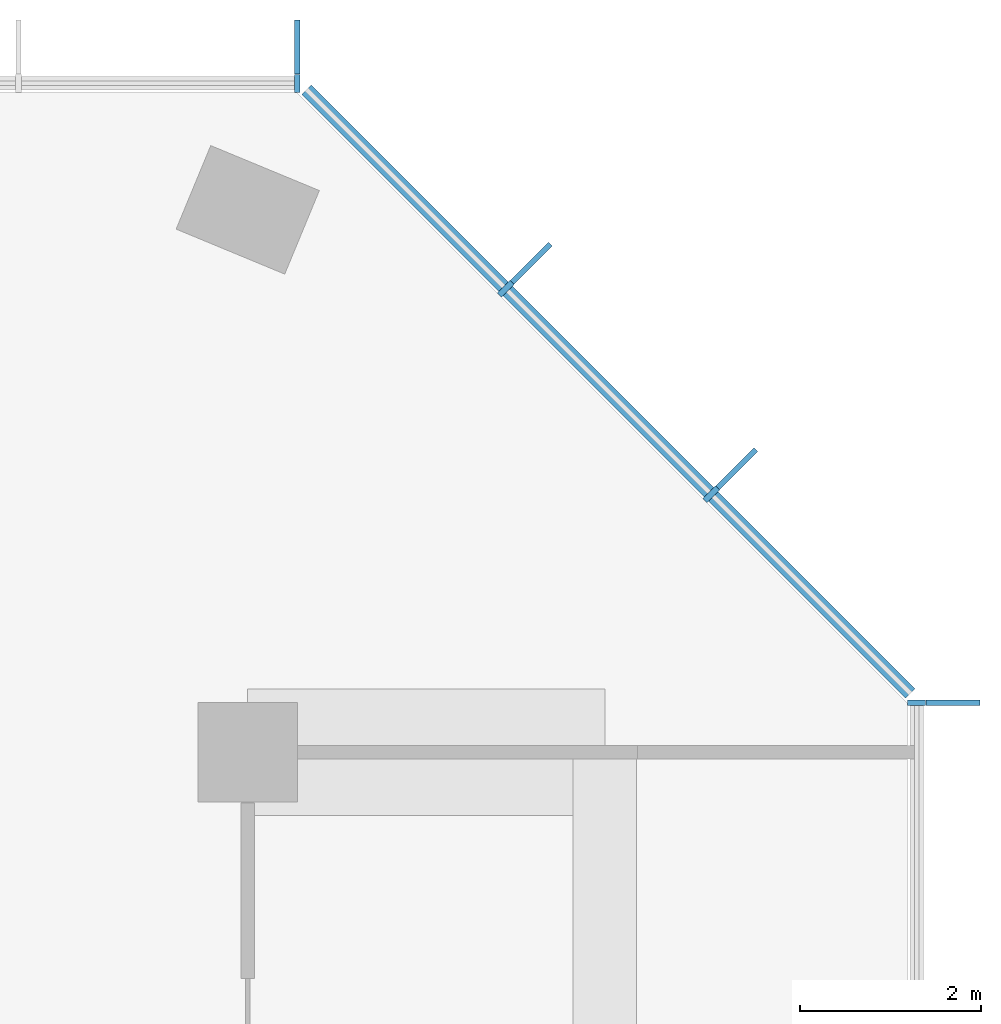
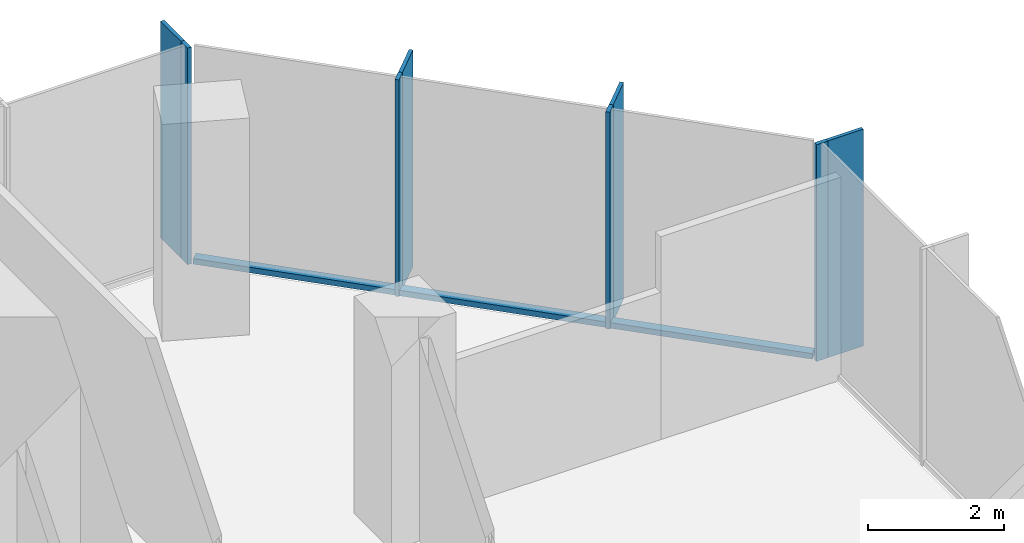
# One storey, part 6 of 11: 11 members, 3 elements without a shape of their own.
"""IFC4 building model written with IfcOpenShell, lengths in metres."""

from ifc_helpers import new_model, si_unit, direction, frame, origin, origin_2d, place, context, subcontext, project, spatial, rectangle, extrude, material, layer, layer_set, material_profile, profile_set, type_object, element, aggregate, save


model = new_model("IFC4")

# Units and contexts
model_context = context("Model", 3, precision=1e-05, world=origin(), true_north=direction((0.0, 1.0)))
body_context = subcontext(model_context, "Body", "Model", "MODEL_VIEW")
ifc_project = project(units=[si_unit("LENGTHUNIT", "METRE"), si_unit("AREAUNIT", "SQUARE_METRE"), si_unit("VOLUMEUNIT", "CUBIC_METRE"), si_unit("PLANEANGLEUNIT", "RADIAN"), si_unit("MASSUNIT", "GRAM", prefix="KILO")], contexts=[model_context])

# Site, building, storey
site_placement = place(None, origin())
site = spatial("IfcSite", under=ifc_project, at=site_placement, CompositionType="ELEMENT")
building_placement = place(site_placement, origin())
building = spatial("IfcBuilding", under=site, at=building_placement, Name="Highveld Stack Headquarters", CompositionType="ELEMENT")
storey_placement = place(building_placement, frame((0.0, 0.0, 276.199951171875)))
storey = spatial("IfcBuildingStorey", under=building, at=storey_placement, Name="L68", CompositionType="ELEMENT", Elevation=276.199951171875)

# Curtain wall, member
ifc_material_1 = material(Name="Aluminium bronze anodised", Category="aluminium")
ifc_layer = layer(ifc_material_1, 0.199951171875)
ifc_layer_set = layer_set([ifc_layer], Name="Aluminium bronze anodised")
curtain_wall_type = type_object("IfcCurtainWallType", Name="CW5 EXECUTIVE UNITISED CURTAIN WALL", PredefinedType="NOTDEFINED", material=ifc_layer_set)
curtain_wall_1_placement = place(storey_placement, origin())
curtain_wall_1 = element("IfcCurtainWall", 1, at=curtain_wall_1_placement, inside=storey, type_object=curtain_wall_type, Name="Curtain wall CW5 L68 E", PredefinedType="NOTDEFINED")
ifc_material_2 = material(Name="Aluminium bronze anodised", Category="aluminium")
ifc_material_profile_1 = material_profile(ifc_material_2, rectangle(XDim=0.60009765625, YDim=0.06005859375, at=origin_2d()), Name="FIN 600x60")
ifc_profile_set_1 = profile_set([ifc_material_profile_1], Name="Aluminium bronze anodised")
member_type_1 = type_object("IfcMemberType", Name="CW5 BRONZE FIN 600x60", PredefinedType="USERDEFINED", material=ifc_profile_set_1)
member_1_placement = place(storey_placement, frame((31.800048828125, 12.54736328125, 0.0), z_axis=(0.0, 0.0, 1.0), x_axis=(-1.0, 0.0, 0.0)))
member_1 = element("IfcMember", 2, at=member_1_placement, type_object=member_type_1, Name="CW5 fin L68 9", ObjectType="FIN", PredefinedType="USERDEFINED", context=body_context, shape_type="SweptSolid", body=[
    extrude(rectangle(XDim=0.60009765625, YDim=0.06005859375, at=origin_2d()), origin(), (0.0, 0.0, 1.0), 3.900146484375),
])

# Curtain wall, members
curtain_wall_2_placement = place(storey_placement, origin())
curtain_wall_2 = element("IfcCurtainWall", 3, at=curtain_wall_2_placement, inside=storey, type_object=curtain_wall_type, Name="Curtain wall CW5 L68 NE", PredefinedType="NOTDEFINED")
member_2_placement = place(storey_placement, frame((29.409423828125, 15.135986328125, 0.0), z_axis=(0.0, 0.0, 1.0), x_axis=(-0.707106781187, -0.707106781187, 0.0)))
member_2 = element("IfcMember", 4, at=member_2_placement, type_object=member_type_1, Name="CW5 fin L68 1", ObjectType="FIN", PredefinedType="USERDEFINED", context=body_context, shape_type="SweptSolid", body=[
    extrude(rectangle(XDim=0.60009765625, YDim=0.06005859375, at=origin_2d()), origin(), (0.0, 0.0, 1.0), 3.900146484375),
])
member_3_placement = place(storey_placement, frame((27.135986328125, 17.409423828125, 0.0), z_axis=(0.0, 0.0, 1.0), x_axis=(-0.707106781187, -0.707106781187, 0.0)))
member_3 = element("IfcMember", 5, at=member_3_placement, type_object=member_type_1, Name="CW5 fin L68 2", ObjectType="FIN", PredefinedType="USERDEFINED", context=body_context, shape_type="SweptSolid", body=[
    extrude(rectangle(XDim=0.60009765625, YDim=0.06005859375, at=origin_2d()), origin(), (0.0, 0.0, 1.0), 3.900146484375),
])

# Curtain wall, member
curtain_wall_3_placement = place(storey_placement, origin())
curtain_wall_3 = element("IfcCurtainWall", 6, at=curtain_wall_3_placement, inside=storey, type_object=curtain_wall_type, Name="Curtain wall CW5 L68 N", PredefinedType="NOTDEFINED")
member_4_placement = place(storey_placement, frame((24.54736328125, 19.800048828125, 0.0), z_axis=(0.0, 0.0, 1.0), x_axis=(0.0, -1.0, 0.0)))
member_4 = element("IfcMember", 7, at=member_4_placement, type_object=member_type_1, Name="CW5 fin L68 1", ObjectType="FIN", PredefinedType="USERDEFINED", context=body_context, shape_type="SweptSolid", body=[
    extrude(rectangle(XDim=0.60009765625, YDim=0.06005859375, at=origin_2d()), origin(), (0.0, 0.0, 1.0), 3.900146484375),
])

# Member
ifc_material_3 = material(Name="Aluminium bronze anodised", Category="aluminium")
ifc_material_profile_2 = material_profile(ifc_material_3, rectangle(XDim=0.199951171875, YDim=0.06494140625, at=origin_2d()), Name="CW5 MULLION 65x200")
ifc_profile_set_2 = profile_set([ifc_material_profile_2], Name="Aluminium bronze anodised")
member_type_2 = type_object("IfcMemberType", Name="CW5 MULLION 65x200", PredefinedType="MULLION", material=ifc_profile_set_2)
member_5_placement = place(storey_placement, frame((31.39990234375, 12.54736328125, 0.0), z_axis=(0.0, 0.0, 1.0), x_axis=(-1.0, 0.0, 0.0)))
member_5 = element("IfcMember", 8, at=member_5_placement, type_object=member_type_2, Name="CW5 mullion L68 9", PredefinedType="MULLION", context=body_context, shape_type="SweptSolid", body=[
    extrude(rectangle(XDim=0.199951171875, YDim=0.06494140625, at=origin_2d()), origin(), (0.0, 0.0, 1.0), 3.900146484375),
])

aggregate(curtain_wall_1, [member_5, member_1])

member_6_placement = place(storey_placement, frame((29.126708984375, 14.853271484375, 0.0), z_axis=(0.0, 0.0, 1.0), x_axis=(-0.707106781187, -0.707106781187, 0.0)))
member_6 = element("IfcMember", 9, at=member_6_placement, type_object=member_type_2, Name="CW5 mullion L68 1", PredefinedType="MULLION", context=body_context, shape_type="SweptSolid", body=[
    extrude(rectangle(XDim=0.199951171875, YDim=0.06494140625, at=origin_2d()), origin(), (0.0, 0.0, 1.0), 3.900146484375),
])

member_7_placement = place(storey_placement, frame((26.853271484375, 17.126708984375, 0.0), z_axis=(0.0, 0.0, 1.0), x_axis=(-0.707106781187, -0.707106781187, 0.0)))
member_7 = element("IfcMember", 10, at=member_7_placement, type_object=member_type_2, Name="CW5 mullion L68 2", PredefinedType="MULLION", context=body_context, shape_type="SweptSolid", body=[
    extrude(rectangle(XDim=0.199951171875, YDim=0.06494140625, at=origin_2d()), origin(), (0.0, 0.0, 1.0), 3.900146484375),
])

member_8_placement = place(storey_placement, frame((24.54736328125, 19.39990234375, 0.0), z_axis=(0.0, 0.0, 1.0), x_axis=(0.0, -1.0, 0.0)))
member_8 = element("IfcMember", 11, at=member_8_placement, type_object=member_type_2, Name="CW5 mullion L68 1", PredefinedType="MULLION", context=body_context, shape_type="SweptSolid", body=[
    extrude(rectangle(XDim=0.199951171875, YDim=0.06494140625, at=origin_2d()), origin(), (0.0, 0.0, 1.0), 3.900146484375),
])

aggregate(curtain_wall_3, [member_8, member_4])

ifc_material_4 = material(Name="Aluminium bronze anodised", Category="aluminium")
ifc_material_profile_3 = material_profile(ifc_material_4, rectangle(XDim=0.14990234375, YDim=0.10009765625, at=origin_2d()), Name="CW5 TRANSOM 150x100")
ifc_profile_set_3 = profile_set([ifc_material_profile_3], Name="Aluminium bronze anodised")
member_type_3 = type_object("IfcMemberType", Name="CW5 STACK TRANSOM 150x100", PredefinedType="USERDEFINED", material=ifc_profile_set_3)
member_9_placement = place(storey_placement, frame((31.329345703125, 12.650634765625, 0.050048828125), z_axis=(-0.707106781187, 0.707106781187, 0.0), x_axis=(-0.707106781187, -0.707106781187, 0.0)))
member_9 = element("IfcMember", 12, at=member_9_placement, type_object=member_type_3, Name="CW5 transom L68 1.1", ObjectType="TRANSOM", PredefinedType="USERDEFINED", context=body_context, shape_type="SweptSolid", body=[
    extrude(rectangle(XDim=0.14990234375, YDim=0.10009765625, at=origin_2d()), origin(), (0.0, 0.0, 1.0), 3.08251953125),
])

member_10_placement = place(storey_placement, frame((29.103759765625, 14.876220703125, 0.050048828125), z_axis=(-0.707106781187, 0.707106781187, 0.0), x_axis=(-0.707106781187, -0.707106781187, 0.0)))
member_10 = element("IfcMember", 13, at=member_10_placement, type_object=member_type_3, Name="CW5 transom L68 2.1", ObjectType="TRANSOM", PredefinedType="USERDEFINED", context=body_context, shape_type="SweptSolid", body=[
    extrude(rectangle(XDim=0.14990234375, YDim=0.10009765625, at=origin_2d()), origin(), (0.0, 0.0, 1.0), 3.150146484375),
])

member_11_placement = place(storey_placement, frame((26.830322265625, 17.149658203125, 0.050048828125), z_axis=(-0.707106781187, 0.707106781187, 0.0), x_axis=(-0.707106781187, -0.707106781187, 0.0)))
member_11 = element("IfcMember", 14, at=member_11_placement, type_object=member_type_3, Name="CW5 transom L68 3.1", ObjectType="TRANSOM", PredefinedType="USERDEFINED", context=body_context, shape_type="SweptSolid", body=[
    extrude(rectangle(XDim=0.14990234375, YDim=0.10009765625, at=origin_2d()), origin(), (0.0, 0.0, 1.0), 3.08251953125),
])

aggregate(curtain_wall_2, [member_6, member_2, member_7, member_3, member_9, member_10, member_11])

save(model, "model.ifc")
